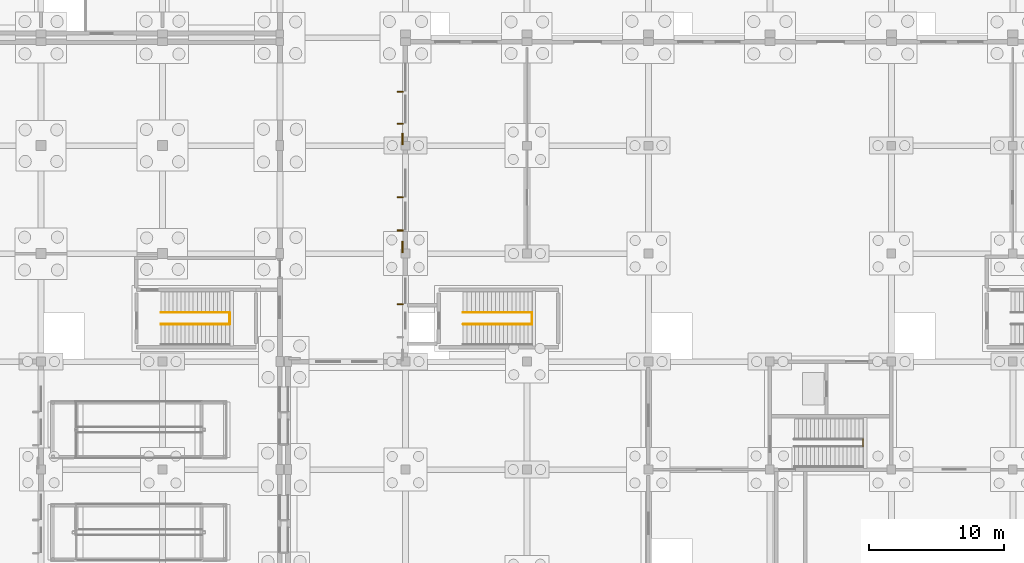
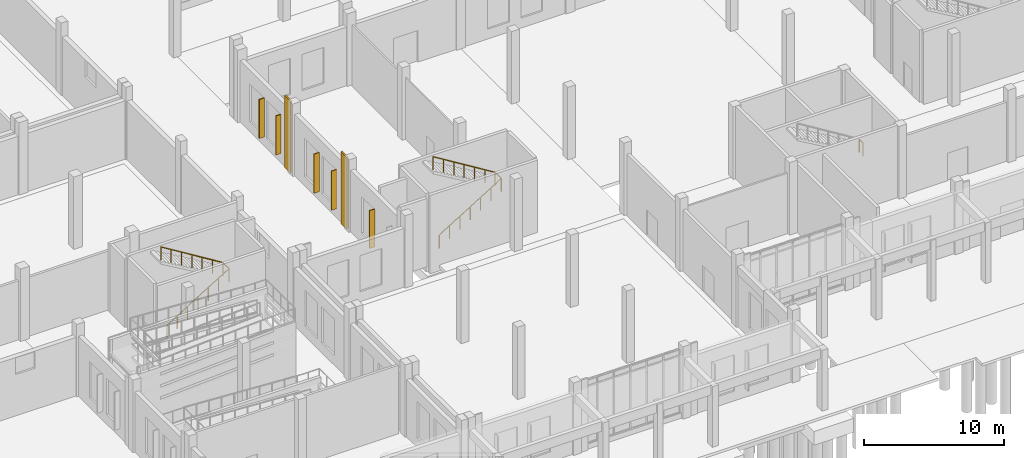
# One storey, part 83 of 99: 7 railings, 5 shading devices, 2 coverings.
"""IFC4 building model written with IfcOpenShell, lengths in metres."""

from ifc_helpers import new_model, si_unit, direction, frame, origin, origin_2d, place, context, subcontext, project, spatial, rectangle, circle, extrude, material, layer, layer_set, type_object, element, save


model = new_model("IFC4")

# Units and contexts
model_context = context("Model", 3, precision=1e-05, world=origin(), true_north=direction((0.0, 1.0)))
body_context = subcontext(model_context, "Body", "Model", "MODEL_VIEW")
ifc_project = project(units=[si_unit("LENGTHUNIT", "METRE"), si_unit("AREAUNIT", "SQUARE_METRE"), si_unit("VOLUMEUNIT", "CUBIC_METRE"), si_unit("PLANEANGLEUNIT", "RADIAN"), si_unit("MASSUNIT", "GRAM", prefix="KILO")], contexts=[model_context])

# Site, building, storey
site_placement = place(None, origin())
site = spatial("IfcSite", under=ifc_project, at=site_placement, CompositionType="ELEMENT")
building_placement = place(site_placement, origin())
building = spatial("IfcBuilding", under=site, at=building_placement, Name="Zacnel Wholesale Market", CompositionType="ELEMENT")
storey_placement = place(building_placement, origin())
storey = spatial("IfcBuildingStorey", under=building, at=storey_placement, Name="L01", CompositionType="ELEMENT", Elevation=0.0)

# Coverings
ifc_material_1 = material(Name="Honed Yucatan Maya cream limestone", Category="masonry")
ifc_layer = layer(ifc_material_1, 0.090087890625)
ifc_layer_set = layer_set([ifc_layer], Name="Honed Yucatan Maya cream limestone")
covering_type = type_object("IfcCoveringType", Name="COV-CLAD-FRET", PredefinedType="CLADDING", material=ifc_layer_set)
for number, where, z_axis, x_axis, name in (
    (1, (80.7900390625, 32.47998046875, 0.02001953125), (0.0, 0.0, 1.0), (0.0, 1.0, 0.0), "Fluted Mayan-Deco limestone pilaster L01-0043"),
    (2, (80.7900390625, 40.47998046875, 0.02001953125), (0.0, 0.0, 1.0), (0.0, 1.0, 0.0), "Fluted Mayan-Deco limestone pilaster L01-0044"),
):
    element("IfcCovering", number, at=place(storey_placement, frame(where, z_axis=z_axis, x_axis=x_axis)), inside=storey, type_object=covering_type, Name=name, PredefinedType="CLADDING", context=body_context, shape_type="SweptSolid", body=[
        extrude(rectangle(XDim=0.85009765625, YDim=0.1201171875, at=origin_2d()), origin(), (0.0, 0.0, 1.0), 6.260009765625),
    ])

# Railings
ifc_material_2 = material(Name="Galvanized steel", Category="steel")
railing_type = type_object("IfcRailingType", Name="RAL-STAIR-GD1150", PredefinedType="BALUSTRADE", material=ifc_material_2)
railing_1_placement = place(storey_placement, frame((114.909912109375, 17.699951171875, 3.14990234375)))
element("IfcRailing", 3, at=railing_1_placement, inside=storey, type_object=railing_type, Name="Stair balustrade INT-STAIR-ST-16-GDIN-2", PredefinedType="BALUSTRADE", context=body_context, shape_type="SweptSolid", body=[
    extrude(circle(Radius=0.02392578125, at=origin_2d()), frame((0.0, 0.0, 1.1259765625), z_axis=(0.0, 1.0, 0.0), x_axis=(-1.0, 0.0, 0.0)), (0.0, 0.0, 1.0), 0.550048828125),
    extrude(circle(Radius=0.02099609375, at=origin_2d()), origin(), (0.0, 0.0, 1.0), 1.101806640625),
    extrude(circle(Radius=0.02099609375, at=origin_2d()), frame((0.0, 0.550048828125, 0.0)), (0.0, 0.0, 1.0), 1.101806640625),
])
railing_2_placement = place(storey_placement, frame((85.280029296875, 26.77001953125, 0.0)))
element("IfcRailing", 4, at=railing_2_placement, inside=storey, type_object=railing_type, Name="Stair balustrade INT-STAIR-ST-18-GDIN-1", PredefinedType="BALUSTRADE", context=body_context, shape_type="SweptSolid", body=[
    extrude(circle(Radius=0.02392578125, at=origin_2d()), frame((0.0, 0.0, 1.1259765625), z_axis=(0.850798532938, 0.0, 0.525492013594), x_axis=(0.0, 1.0, 0.0)), (0.0, 0.0, 1.0), 5.994140625),
    extrude(circle(Radius=0.02099609375, at=origin_2d()), origin(), (0.0, 0.0, 1.0), 1.101806640625),
    extrude(circle(Radius=0.02099609375, at=origin_2d()), frame((0.85009765625, 0.0, 0.52490234375)), (0.0, 0.0, 1.0), 1.101806640625),
    extrude(circle(Radius=0.02099609375, at=origin_2d()), frame((1.699951171875, 0.0, 1.050048828125)), (0.0, 0.0, 1.0), 1.101806640625),
    extrude(circle(Radius=0.02099609375, at=origin_2d()), frame((2.5498046875, 0.0, 1.574951171875)), (0.0, 0.0, 1.0), 1.101806640625),
    extrude(circle(Radius=0.02099609375, at=origin_2d()), frame((3.39990234375, 0.0, 2.099853515625)), (0.0, 0.0, 1.0), 1.101806640625),
    extrude(circle(Radius=0.02099609375, at=origin_2d()), frame((4.25, 0.0, 2.625)), (0.0, 0.0, 1.0), 1.101806640625),
    extrude(circle(Radius=0.02099609375, at=origin_2d()), frame((5.099853515625, 0.0, 3.14990234375)), (0.0, 0.0, 1.0), 1.101806640625),
])
railing_3_placement = place(storey_placement, frame((90.3798828125, 26.77001953125, 3.14990234375)))
element("IfcRailing", 5, at=railing_3_placement, inside=storey, type_object=railing_type, Name="Stair balustrade INT-STAIR-ST-18-GDIN-2", PredefinedType="BALUSTRADE", context=body_context, shape_type="SweptSolid", body=[
    extrude(circle(Radius=0.02392578125, at=origin_2d()), frame((0.0, 0.0, 1.1259765625), z_axis=(0.0, 1.0, 0.0), x_axis=(-1.0, 0.0, 0.0)), (0.0, 0.0, 1.0), 0.85986328125),
    extrude(circle(Radius=0.02099609375, at=origin_2d()), origin(), (0.0, 0.0, 1.0), 1.101806640625),
    extrude(circle(Radius=0.02099609375, at=origin_2d()), frame((0.0, 0.85986328125, 0.0)), (0.0, 0.0, 1.0), 1.101806640625),
])
railing_4_placement = place(storey_placement, frame((90.3798828125, 27.6298828125, 3.14990234375)))
element("IfcRailing", 6, at=railing_4_placement, inside=storey, type_object=railing_type, Name="Stair balustrade INT-STAIR-ST-18-GDIN-3", PredefinedType="BALUSTRADE", context=body_context, shape_type="SweptSolid", body=[
    extrude(circle(Radius=0.02392578125, at=origin_2d()), frame((0.0, 0.0, 1.1259765625), z_axis=(-0.850780323153, 0.0, 0.525521495028), x_axis=(0.0, -1.0, 0.0)), (0.0, 0.0, 1.0), 5.994384765625),
    extrude(circle(Radius=0.02099609375, at=origin_2d()), origin(), (0.0, 0.0, 1.0), 1.101806640625),
    extrude(circle(Radius=0.02099609375, at=origin_2d()), frame((-0.85009765625, 0.0, 0.52490234375)), (0.0, 0.0, 1.0), 1.101806640625),
    extrude(circle(Radius=0.02099609375, at=origin_2d()), frame((-1.699951171875, 0.0, 1.050048828125)), (0.0, 0.0, 1.0), 1.101806640625),
    extrude(circle(Radius=0.02099609375, at=origin_2d()), frame((-2.5498046875, 0.0, 1.5751953125)), (0.0, 0.0, 1.0), 1.101806640625),
    extrude(circle(Radius=0.02099609375, at=origin_2d()), frame((-3.39990234375, 0.0, 2.10009765625)), (0.0, 0.0, 1.0), 1.101806640625),
    extrude(circle(Radius=0.02099609375, at=origin_2d()), frame((-4.25, 0.0, 2.625)), (0.0, 0.0, 1.0), 1.101806640625),
    extrude(circle(Radius=0.02099609375, at=origin_2d()), frame((-5.099853515625, 0.0, 3.150146484375)), (0.0, 0.0, 1.0), 1.101806640625),
])
railing_5_placement = place(storey_placement, frame((62.8798828125, 26.77001953125, 0.0)))
element("IfcRailing", 7, at=railing_5_placement, inside=storey, type_object=railing_type, Name="Stair balustrade INT-STAIR-ST-23-GDIN-1", PredefinedType="BALUSTRADE", context=body_context, shape_type="SweptSolid", body=[
    extrude(circle(Radius=0.02392578125, at=origin_2d()), frame((0.0, 0.0, 1.1259765625), z_axis=(0.850809779473, 0.0, 0.52547380444), x_axis=(0.0, 1.0, 0.0)), (0.0, 0.0, 1.0), 5.994384765625),
    extrude(circle(Radius=0.02099609375, at=origin_2d()), origin(), (0.0, 0.0, 1.0), 1.101806640625),
    extrude(circle(Radius=0.02099609375, at=origin_2d()), frame((0.85009765625, 0.0, 0.52490234375)), (0.0, 0.0, 1.0), 1.101806640625),
    extrude(circle(Radius=0.02099609375, at=origin_2d()), frame((1.699951171875, 0.0, 1.050048828125)), (0.0, 0.0, 1.0), 1.101806640625),
    extrude(circle(Radius=0.02099609375, at=origin_2d()), frame((2.550048828125, 0.0, 1.574951171875)), (0.0, 0.0, 1.0), 1.101806640625),
    extrude(circle(Radius=0.02099609375, at=origin_2d()), frame((3.400146484375, 0.0, 2.099853515625)), (0.0, 0.0, 1.0), 1.101806640625),
    extrude(circle(Radius=0.02099609375, at=origin_2d()), frame((4.25, 0.0, 2.625)), (0.0, 0.0, 1.0), 1.101806640625),
    extrude(circle(Radius=0.02099609375, at=origin_2d()), frame((5.10009765625, 0.0, 3.14990234375)), (0.0, 0.0, 1.0), 1.101806640625),
])
railing_6_placement = place(storey_placement, frame((67.97998046875, 26.77001953125, 3.14990234375)))
element("IfcRailing", 8, at=railing_6_placement, inside=storey, type_object=railing_type, Name="Stair balustrade INT-STAIR-ST-23-GDIN-2", PredefinedType="BALUSTRADE", context=body_context, shape_type="SweptSolid", body=[
    extrude(circle(Radius=0.02392578125, at=origin_2d()), frame((0.0, 0.0, 1.1259765625), z_axis=(0.0, 1.0, 0.0), x_axis=(-1.0, 0.0, 0.0)), (0.0, 0.0, 1.0), 0.85986328125),
    extrude(circle(Radius=0.02099609375, at=origin_2d()), origin(), (0.0, 0.0, 1.0), 1.101806640625),
    extrude(circle(Radius=0.02099609375, at=origin_2d()), frame((0.0, 0.85986328125, 0.0)), (0.0, 0.0, 1.0), 1.101806640625),
])
railing_7_placement = place(storey_placement, frame((67.97998046875, 27.6298828125, 3.14990234375)))
element("IfcRailing", 9, at=railing_7_placement, inside=storey, type_object=railing_type, Name="Stair balustrade INT-STAIR-ST-23-GDIN-3", PredefinedType="BALUSTRADE", context=body_context, shape_type="SweptSolid", body=[
    extrude(circle(Radius=0.02392578125, at=origin_2d()), frame((0.0, 0.0, 1.1259765625), z_axis=(-0.850791570709, 0.0, 0.525503285632), x_axis=(0.0, -1.0, 0.0)), (0.0, 0.0, 1.0), 5.99462890625),
    extrude(circle(Radius=0.02099609375, at=origin_2d()), origin(), (0.0, 0.0, 1.0), 1.101806640625),
    extrude(circle(Radius=0.02099609375, at=origin_2d()), frame((-0.85009765625, 0.0, 0.52490234375)), (0.0, 0.0, 1.0), 1.101806640625),
    extrude(circle(Radius=0.02099609375, at=origin_2d()), frame((-1.699951171875, 0.0, 1.050048828125)), (0.0, 0.0, 1.0), 1.101806640625),
    extrude(circle(Radius=0.02099609375, at=origin_2d()), frame((-2.550048828125, 0.0, 1.5751953125)), (0.0, 0.0, 1.0), 1.101806640625),
    extrude(circle(Radius=0.02099609375, at=origin_2d()), frame((-3.400146484375, 0.0, 2.10009765625)), (0.0, 0.0, 1.0), 1.101806640625),
    extrude(circle(Radius=0.02099609375, at=origin_2d()), frame((-4.25, 0.0, 2.625)), (0.0, 0.0, 1.0), 1.101806640625),
    extrude(circle(Radius=0.02099609375, at=origin_2d()), frame((-5.10009765625, 0.0, 3.150146484375)), (0.0, 0.0, 1.0), 1.101806640625),
])

# Shading devices
ifc_material_3 = material(Name="Honed Yucatan Maya cream limestone", Category="masonry")
shading_device_type = type_object("IfcShadingDeviceType", Name="SHD-FIN-V450", PredefinedType="USERDEFINED", material=ifc_material_3)
shading_device_placement = place(storey_placement, frame((80.6201171875, 28.264892578125, 0.77490234375), z_axis=(0.0, 0.0, 1.0), x_axis=(0.0, 1.0, 0.0)))
element("IfcShadingDevice", 10, at=shading_device_placement, inside=storey, type_object=shading_device_type, Name="Limestone sunshade fin 0044", ObjectType="SUNSHADE", PredefinedType="USERDEFINED", context=body_context, shape_type="SweptSolid", body=[
    extrude(rectangle(XDim=0.080078125, YDim=0.43994140625, at=origin_2d()), origin(), (0.0, 0.0, 1.0), 3.300048828125),
])
for number, where, z_axis, x_axis, name in (
    (11, (80.6201171875, 33.715087890625, 0.800048828125), (0.0, 0.0, 1.0), (0.0, 1.0, 0.0), "Limestone sunshade fin 0045"),
    (12, (80.6201171875, 36.1650390625, 0.800048828125), (0.0, 0.0, 1.0), (0.0, 1.0, 0.0), "Limestone sunshade fin 0046"),
    (13, (80.6201171875, 41.632080078125, 0.800048828125), (0.0, 0.0, 1.0), (0.0, 1.0, 0.0), "Limestone sunshade fin 0047"),
    (14, (80.6201171875, 43.998046875, 0.800048828125), (0.0, 0.0, 1.0), (0.0, 1.0, 0.0), "Limestone sunshade fin 0048"),
):
    element("IfcShadingDevice", number, at=place(storey_placement, frame(where, z_axis=z_axis, x_axis=x_axis)), inside=storey, type_object=shading_device_type, Name=name, ObjectType="SUNSHADE", PredefinedType="USERDEFINED", context=body_context, shape_type="SweptSolid", body=[
        extrude(rectangle(XDim=0.080078125, YDim=0.43994140625, at=origin_2d()), origin(), (0.0, 0.0, 1.0), 3.39990234375),
    ])

save(model, "model.ifc")
